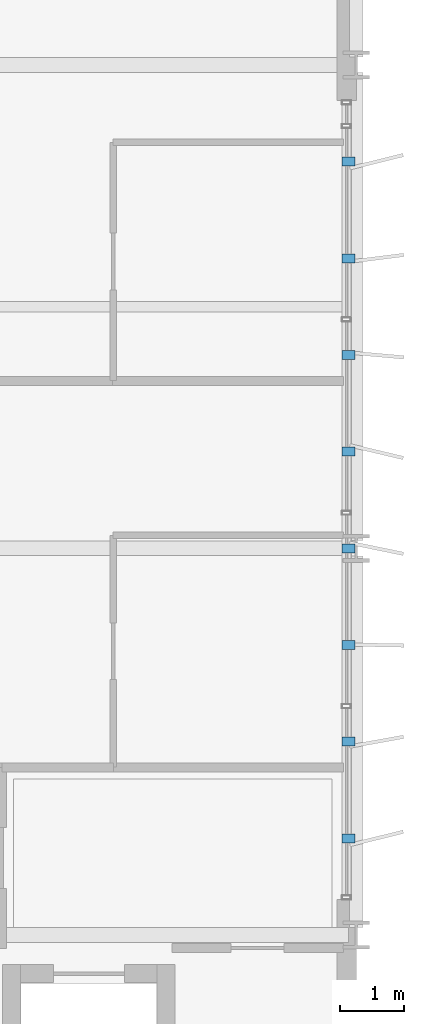
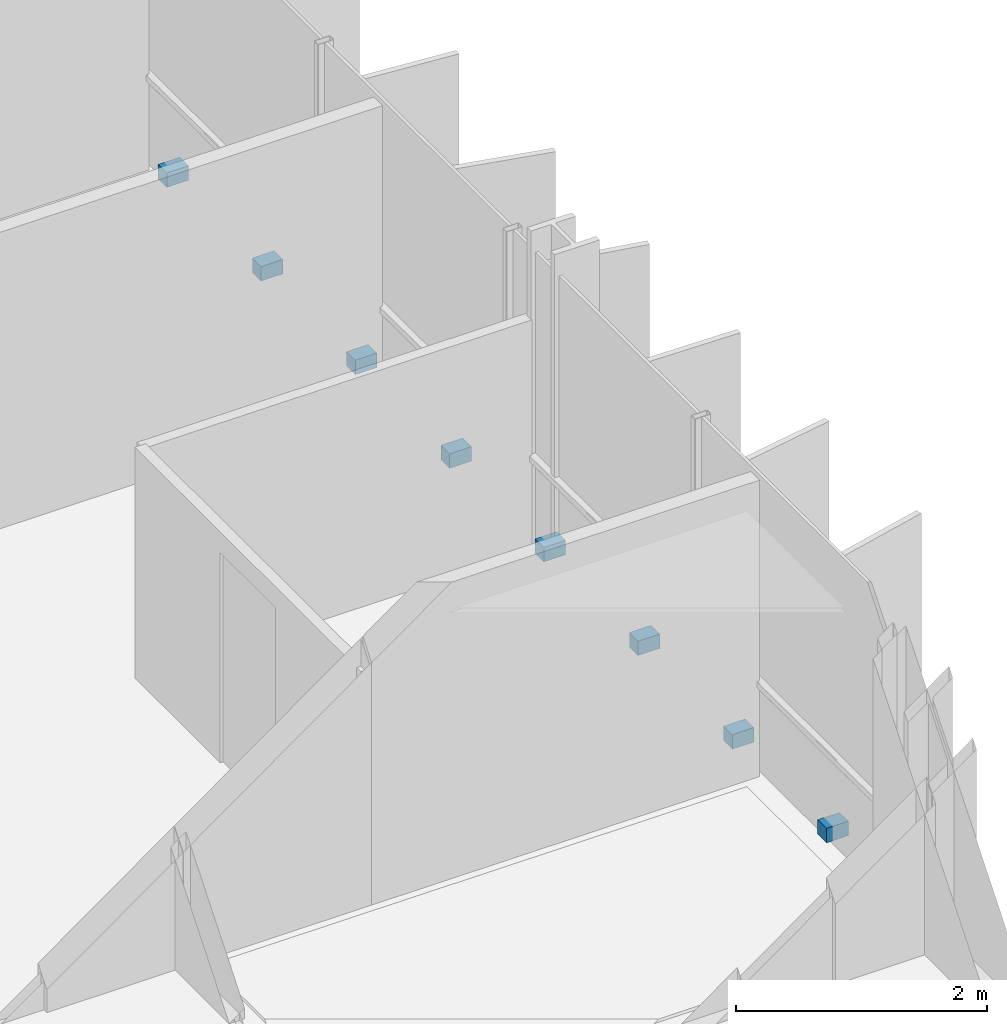
# One storey, part 35 of 39: 8 discrete accessories.
"""IFC4 building model written with IfcOpenShell, lengths in metres."""

from ifc_helpers import new_model, si_unit, direction, frame, origin, origin_2d, place, context, subcontext, project, spatial, rectangle, extrude, material, type_object, element, save


model = new_model("IFC4")

# Units and contexts
model_context = context("Model", 3, precision=1e-05, world=origin(), true_north=direction((0.0, 1.0)))
body_context = subcontext(model_context, "Body", "Model", "MODEL_VIEW")
ifc_project = project(units=[si_unit("LENGTHUNIT", "METRE"), si_unit("AREAUNIT", "SQUARE_METRE"), si_unit("VOLUMEUNIT", "CUBIC_METRE"), si_unit("PLANEANGLEUNIT", "RADIAN"), si_unit("MASSUNIT", "GRAM", prefix="KILO")], contexts=[model_context])

# Site, building, storey
site_placement = place(None, origin())
site = spatial("IfcSite", under=ifc_project, at=site_placement, CompositionType="ELEMENT")
building_placement = place(site_placement, origin())
building = spatial("IfcBuilding", under=site, at=building_placement, Name="Brevholm Reach", CompositionType="ELEMENT")
storey_placement = place(building_placement, frame((0.0, 0.0, 103.5)))
storey = spatial("IfcBuildingStorey", under=building, at=storey_placement, Name="L30", CompositionType="ELEMENT", Elevation=103.5)

# Discrete accessories
ifc_material = material(Name="Duplex Stainless Steel EN 1.4462", Category="steel")
discrete_accessory_type = type_object("IfcDiscreteAccessoryType", Name="ACC-BRK-01", PredefinedType="BRACKET", material=ifc_material)
for number, where, z_axis, x_axis, name in (
    (1, (59.8798828125, 11.5, 0.0302734375), (0.0, 0.0, 1.0), (1.0, 0.0, 0.0), "L30 Solar Screen Support Bracket 1"),
    (2, (59.8798828125, 13.0, 0.0302734375), (0.0, 0.0, 1.0), (1.0, 0.0, 0.0), "L30 Solar Screen Support Bracket 2"),
    (3, (59.8798828125, 14.5, 0.0302734375), (0.0, 0.0, 1.0), (1.0, 0.0, 0.0), "L30 Solar Screen Support Bracket 3"),
    (4, (59.8798828125, 16.0, 0.0302734375), (0.0, 0.0, 1.0), (1.0, 0.0, 0.0), "L30 Solar Screen Support Bracket 4"),
    (5, (59.8798828125, 17.5, 0.0302734375), (0.0, 0.0, 1.0), (1.0, 0.0, 0.0), "L30 Solar Screen Support Bracket 5"),
    (6, (59.8798828125, 19.0, 0.0302734375), (0.0, 0.0, 1.0), (1.0, 0.0, 0.0), "L30 Solar Screen Support Bracket 6"),
    (7, (59.8798828125, 20.5, 0.0302734375), (0.0, 0.0, 1.0), (1.0, 0.0, 0.0), "L30 Solar Screen Support Bracket 7"),
    (8, (59.8798828125, 22.0, 0.0302734375), (0.0, 0.0, 1.0), (1.0, 0.0, 0.0), "L30 Solar Screen Support Bracket 8"),
):
    element("IfcDiscreteAccessory", number, at=place(storey_placement, frame(where, z_axis=z_axis, x_axis=x_axis)), inside=storey, type_object=discrete_accessory_type, Name=name, PredefinedType="BRACKET", context=body_context, shape_type="SweptSolid", body=[
        extrude(rectangle(XDim=0.199951171875, YDim=0.139892578125, at=origin_2d()), origin(), (0.0, 0.0, 1.0), 0.139892578125),
    ])

save(model, "model.ifc")
